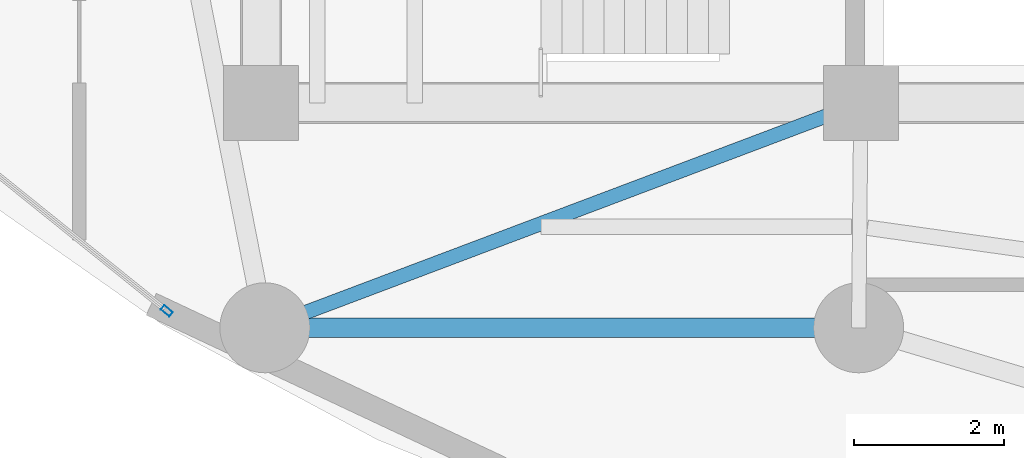
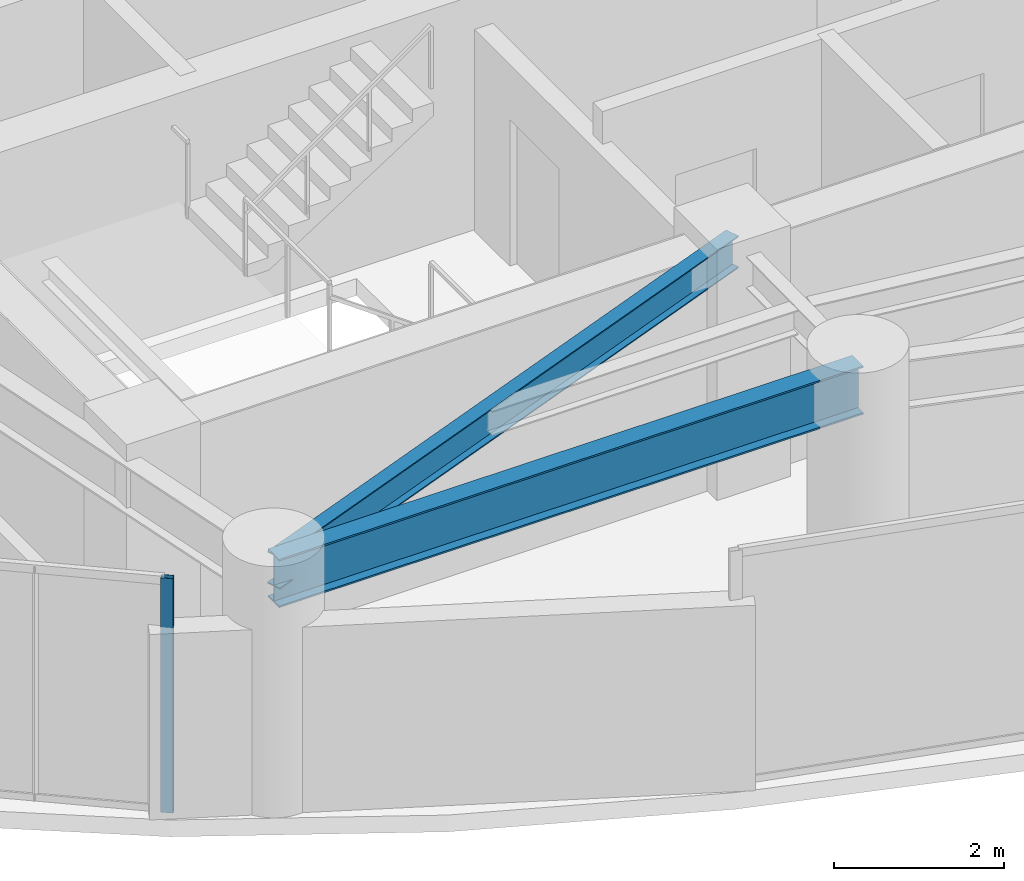
# One storey, part 2 of 34: 2 beams, 1 member, 1 element without a shape of its own.
"""IFC4 building model written with IfcOpenShell, lengths in metres."""

import ifcopenshell
import ifcopenshell.guid

model = None  # the IFC model being written
_history = None  # IfcOwnerHistory: only IFC2X3 demands one
_inside = {}  # id of a spatial element -> (the spatial element, [elements in it])
_under = {}  # id of a project, library or spatial element -> (it, [spatial elements below it])
_declared = {}  # id of a project -> (the project, [libraries it declares])
_typed = {}  # id of a type object -> (the type object, [elements of that type])
_made_of = {}  # id of a material, layer set ... -> (it, [elements and type objects made of it])


def new_model(schema):
    """Start an empty IFC model of exactly this schema.

    Asked for "IFC4X3", IfcOpenShell would pick the latest addendum, in which some entities
    have other attributes; the version numbers below select the first issue.
    IFC2X3 requires an IfcOwnerHistory on every rooted entity: one is made here for all.
    """
    global model, _history
    if schema == "IFC4X3":
        model = ifcopenshell.file(schema_version=(4, 3, 0, 0))
    else:
        model = ifcopenshell.file(schema=schema)
    _inside.clear()
    _under.clear()
    _declared.clear()
    _typed.clear()
    _made_of.clear()
    _history = None
    if model.schema == "IFC2X3":
        org = make("IfcOrganization", Name="unknown")
        user = make(
            "IfcPersonAndOrganization",
            ThePerson=make("IfcPerson", FamilyName="unknown"),
            TheOrganization=org,
        )
        app = make(
            "IfcApplication",
            ApplicationDeveloper=org,
            Version="unknown",
            ApplicationFullName="unknown",
            ApplicationIdentifier="unknown",
        )
        _history = make(
            "IfcOwnerHistory",
            OwningUser=user,
            OwningApplication=app,
            ChangeAction="ADDED",
            CreationDate=0,
        )
    return model


def make(cls, **values):
    """One entity of the class cls with the attributes given. An attribute that is None is left unset."""
    return model.create_entity(
        cls, **{name: value for name, value in values.items() if value is not None}
    )


def rooted(cls, **values):
    """An entity with a GlobalId (a new one), such as an element, a storey or a relation."""
    return make(cls, GlobalId=ifcopenshell.guid.new(), OwnerHistory=_history, **values)


def si_unit(unit_type, name, prefix=None):
    """IfcSIUnit, for example si_unit("LENGTHUNIT", "METRE", prefix="MILLI")."""
    return make("IfcSIUnit", UnitType=unit_type, Prefix=prefix, Name=name)


def assignment(units):
    """IfcUnitAssignment: the units of a project."""
    return None if units is None else make("IfcUnitAssignment", Units=units)


def point(xyz):
    """IfcCartesianPoint."""
    return None if xyz is None else make("IfcCartesianPoint", Coordinates=xyz)


def direction(xyz):
    """IfcDirection."""
    return None if xyz is None else make("IfcDirection", DirectionRatios=xyz)


def frame(location, z_axis=None, x_axis=None):
    """IfcAxis2Placement3D, a coordinate frame: its origin and axes. An axis left out is left unset."""
    return make(
        "IfcAxis2Placement3D",
        Location=point(location),
        Axis=direction(z_axis),
        RefDirection=direction(x_axis),
    )


def frame_2d(location, x_axis=None):
    """IfcAxis2Placement2D, a coordinate frame in the plane: its origin and x axis."""
    return make(
        "IfcAxis2Placement2D", Location=point(location), RefDirection=direction(x_axis)
    )


def origin():
    """The frame at (0, 0, 0) with its axes left unset."""
    return frame((0.0, 0.0, 0.0))


def origin_2d():
    """The frame at (0, 0) in the plane with its x axis left unset."""
    return frame_2d((0.0, 0.0))


def place(relative_to, where):
    """IfcLocalPlacement: puts the frame where relative to a parent placement (None: the world)."""
    return make(
        "IfcLocalPlacement", PlacementRelTo=relative_to, RelativePlacement=where
    )


def context(
    kind, dimensions, precision=None, world=None, true_north=None, identifier=None
):
    """IfcGeometricRepresentationContext, for example the 3D "Model" context."""
    return make(
        "IfcGeometricRepresentationContext",
        ContextIdentifier=identifier,
        ContextType=kind,
        CoordinateSpaceDimension=dimensions,
        Precision=precision,
        WorldCoordinateSystem=world,
        TrueNorth=true_north,
    )


def subcontext(parent, identifier, kind, view, scale=None):
    """IfcGeometricRepresentationSubContext, for example "Body" below "Model"."""
    return make(
        "IfcGeometricRepresentationSubContext",
        ContextIdentifier=identifier,
        ContextType=kind,
        ParentContext=parent,
        TargetScale=scale,
        TargetView=view,
    )


def project(units=None, contexts=None):
    """IfcProject with its units and contexts."""
    return rooted(
        "IfcProject",
        Name="project",
        RepresentationContexts=contexts,
        UnitsInContext=assignment(units),
    )


def spatial(cls, under=None, at=None, **own):
    """A site, building, storey or space (cls), placed at a placement, below another one or the project."""
    s = rooted(cls, ObjectPlacement=at, **own)
    if under is not None:
        _under.setdefault(under.id(), (under, []))[1].append(s)
    return s


def profile(cls, at=None, kind="AREA", **sizes):
    """A parametric profile (cls). Its sizes go by their IFC names, for example OverallWidth=200.0."""
    return make(cls, ProfileType=kind, Position=at, **sizes)


def hollow_rectangle(**sizes):
    """IfcRectangleHollowProfileDef."""
    return profile("IfcRectangleHollowProfileDef", **sizes)


def i_section(**sizes):
    """IfcIShapeProfileDef."""
    return profile("IfcIShapeProfileDef", **sizes)


def extrude(swept, where, along, depth):
    """IfcExtrudedAreaSolid: the profile swept, set in the frame where, extruded along a direction by depth."""
    return make(
        "IfcExtrudedAreaSolid",
        SweptArea=swept,
        Position=where,
        ExtrudedDirection=direction(along),
        Depth=depth,
    )


def shape(context_of_items, identifier, shape_type, items):
    """IfcShapeRepresentation: the items that make up one representation, for example the "Body"."""
    return make(
        "IfcShapeRepresentation",
        ContextOfItems=context_of_items,
        RepresentationIdentifier=identifier,
        RepresentationType=shape_type,
        Items=items,
    )


def material(Name=None, Category=None):
    """IfcMaterial."""
    return make("IfcMaterial", Name=Name, Category=Category)


def layer(
    of_material, thickness, ventilated=None, Name=None, Category=None, Priority=None
):
    """IfcMaterialLayer: one layer of a wall or slab, of a material (None: an air gap)."""
    return make(
        "IfcMaterialLayer",
        Material=of_material,
        LayerThickness=thickness,
        IsVentilated=ventilated,
        Name=Name,
        Category=Category,
        Priority=Priority,
    )


def layer_set(layers, Name=None):
    """IfcMaterialLayerSet."""
    return make("IfcMaterialLayerSet", MaterialLayers=layers, LayerSetName=Name)


def material_profile(
    of_material, cross_section, Name=None, Category=None, Priority=None
):
    """IfcMaterialProfile: a cross section and its material."""
    return make(
        "IfcMaterialProfile",
        Name=Name,
        Material=of_material,
        Profile=cross_section,
        Priority=Priority,
        Category=Category,
    )


def profile_set(profiles, Name=None, composite=None):
    """IfcMaterialProfileSet."""
    return make(
        "IfcMaterialProfileSet",
        Name=Name,
        MaterialProfiles=profiles,
        CompositeProfile=composite,
    )


def made_of(thing, what):
    """Note that an element or type object is made of a material, layer set ...; save() writes the relation."""
    if what is not None:
        _made_of.setdefault(what.id(), (what, []))[1].append(thing)
    return thing


def type_object(cls, material=None, **own):
    """A type object (cls), such as IfcWallType, which elements share."""
    return made_of(rooted(cls, **own), material)


def element(
    cls,
    number,
    at=None,
    inside=None,
    cuts=None,
    type_object=None,
    material=None,
    context=None,
    identifier="Body",
    shape_type=None,
    held_by="IfcProductDefinitionShape",
    body=None,
    shapes=None,
    **own,
):
    """One element of the class cls, such as IfcWall. Its Tag is "e" and its number.

    at: its placement. inside: the storey or other place that contains it. cuts: it is an
    opening in that element (IfcRelVoidsElement). A single representation is given by context,
    identifier, shape_type and body (its items); several are given by shapes. held_by: the class
    of the entity that holds the representations. save() writes the other relations.
    """
    e = rooted(cls, Tag="e%d" % number, ObjectPlacement=at, **own)
    if body is not None:
        shapes = [shape(context, identifier, shape_type, body)]
    if shapes is not None:
        e.Representation = make(held_by, Representations=shapes)
    if inside is not None:
        _inside.setdefault(inside.id(), (inside, []))[1].append(e)
    if cuts is not None:
        rooted(
            "IfcRelVoidsElement", RelatingBuildingElement=cuts, RelatedOpeningElement=e
        )
    if type_object is not None:
        _typed.setdefault(type_object.id(), (type_object, []))[1].append(e)
    return made_of(e, material)


def aggregate(whole, parts):
    """IfcRelAggregates: a whole, such as a stair, and the parts it consists of."""
    return rooted("IfcRelAggregates", RelatingObject=whole, RelatedObjects=parts)


def save(model, path):
    """Write the relations noted so far, then the file.

    IfcRelAggregates (storeys below a building ...), IfcRelContainedInSpatialStructure (elements
    in a storey), IfcRelDefinesByType, IfcRelAssociatesMaterial and IfcRelDeclares: one each for
    every whole, place, type object, material and project.
    """
    for whole, parts in _under.values():
        aggregate(whole, parts)
    for where, things in _inside.values():
        rooted(
            "IfcRelContainedInSpatialStructure",
            RelatedElements=things,
            RelatingStructure=where,
        )
    for kind, things in _typed.values():
        rooted("IfcRelDefinesByType", RelatedObjects=things, RelatingType=kind)
    for what, things in _made_of.values():
        rooted("IfcRelAssociatesMaterial", RelatedObjects=things, RelatingMaterial=what)
    for by, libraries in _declared.values():
        rooted("IfcRelDeclares", RelatingContext=by, RelatedDefinitions=libraries)
    model.write(path)


model = new_model("IFC4")

# Units and contexts
model_context = context("Model", 3, precision=1e-05, world=origin(), true_north=direction((0.0, 1.0)))
body_context = subcontext(model_context, "Body", "Model", "MODEL_VIEW")
ifc_project = project(units=[si_unit("LENGTHUNIT", "METRE"), si_unit("AREAUNIT", "SQUARE_METRE"), si_unit("VOLUMEUNIT", "CUBIC_METRE"), si_unit("PLANEANGLEUNIT", "RADIAN"), si_unit("MASSUNIT", "GRAM", prefix="KILO")], contexts=[model_context])

# Site, building, storey
site_placement = place(None, origin())
site = spatial("IfcSite", under=ifc_project, at=site_placement, CompositionType="ELEMENT")
building_placement = place(site_placement, origin())
building = spatial("IfcBuilding", under=site, at=building_placement, Name="Kazevale Care Tower and Concert Hall", CompositionType="ELEMENT")
storey_placement = place(building_placement, frame((0.0, 0.0, 163.800048828125)))
storey = spatial("IfcBuildingStorey", under=building, at=storey_placement, Name="L43", CompositionType="ELEMENT", Elevation=163.800048828125)

# Curtain wall, member
ifc_material_1 = material(Name="Aluminium 6063-T6 and Low-E Glass", Category="aluminium")
ifc_layer = layer(ifc_material_1, 0.179931640625)
ifc_layer_set = layer_set([ifc_layer], Name="Aluminium 6063-T6 and Low-E Glass")
curtain_wall_type = type_object("IfcCurtainWallType", Name="Sheltered Concave Balcony Curtain Wall CW-5", PredefinedType="NOTDEFINED", material=ifc_layer_set)
curtain_wall_placement = place(storey_placement, origin())
curtain_wall = element("IfcCurtainWall", 1, at=curtain_wall_placement, inside=storey, type_object=curtain_wall_type, Name="cw:L43:f10", PredefinedType="NOTDEFINED")
ifc_material_2 = material(Name="Aluminium 6063-T6", Category="aluminium")
ifc_material_profile_1 = material_profile(ifc_material_2, hollow_rectangle(XDim=0.074951171875, YDim=0.14990234375, WallThickness=0.00390625, at=origin_2d()), Name="ALU75x150x4")
ifc_profile_set_1 = profile_set([ifc_material_profile_1], Name="Aluminium 6063-T6")
member_type = type_object("IfcMemberType", Name="CW-5 Mullion ALU75x150x4", PredefinedType="MULLION", material=ifc_profile_set_1)
member_placement = place(storey_placement, frame((20.74072265625, 20.826416015625, 0.0), z_axis=(0.0, 0.0, 1.0), x_axis=(-0.626905357502, -0.779095419531, 0.0)))
member = element("IfcMember", 2, at=member_placement, type_object=member_type, Name="CW-5 mullion 1", PredefinedType="MULLION", context=body_context, shape_type="SweptSolid", body=[
    extrude(hollow_rectangle(XDim=0.074951171875, YDim=0.14990234375, WallThickness=0.00390625, at=origin_2d()), origin(), (0.0, 0.0, 1.0), 3.35986328125),
])
aggregate(curtain_wall, [member])

# Beams
ifc_material_3 = material(Name="Steel ASTM A572 Gr 50", Category="steel")
ifc_material_profile_2 = material_profile(ifc_material_3, i_section(OverallWidth=0.19091796875, OverallDepth=0.4599609375, WebThickness=0.010009765625, FlangeThickness=0.01611328125, at=origin_2d()), Name="W460x82")
ifc_profile_set_2 = profile_set([ifc_material_profile_2], Name="Steel ASTM A572 Gr 50")
beam_type_1 = type_object("IfcBeamType", Name="Radial Floor Beam W460x82", PredefinedType="BEAM", material=ifc_profile_set_2)
beam_1_placement = place(storey_placement, frame((30.0, 23.60009765625, 3.1298828125), z_axis=(-0.935601002663, -0.353059150592, 0.0), x_axis=(0.353059150592, -0.935601002663, 0.0)))
element("IfcBeam", 3, at=beam_1_placement, inside=storey, type_object=beam_type_1, Name="beam:L43:rad:10", PredefinedType="BEAM", context=body_context, shape_type="SweptSolid", body=[
    extrude(i_section(OverallWidth=0.19091796875, OverallDepth=0.4599609375, WebThickness=0.010009765625, FlangeThickness=0.01611328125, at=origin_2d()), origin(), (0.0, 0.0, 1.0), 8.4970703125),
])
ifc_material_profile_3 = material_profile(ifc_material_3, i_section(OverallWidth=0.256103515625, OverallDepth=0.693115234375, WebThickness=0.014404296875, FlangeThickness=0.023681640625, at=origin_2d()), Name="W690x170")
ifc_profile_set_3 = profile_set([ifc_material_profile_3], Name="Steel ASTM A572 Gr 50")
beam_type_2 = type_object("IfcBeamType", Name="Waist Ring Beam W690x170", PredefinedType="BEAM", material=ifc_profile_set_3)
beam_2_placement = place(storey_placement, frame((22.050048828125, 20.60009765625, 3.013427734375), z_axis=(1.0, 0.0, 0.0), x_axis=(0.0, 1.0, 0.0)))
element("IfcBeam", 4, at=beam_2_placement, inside=storey, type_object=beam_type_2, Name="beam:L43:ring:10", PredefinedType="BEAM", context=body_context, shape_type="SweptSolid", body=[
    extrude(i_section(OverallWidth=0.256103515625, OverallDepth=0.693115234375, WebThickness=0.014404296875, FlangeThickness=0.023681640625, at=origin_2d()), origin(), (0.0, 0.0, 1.0), 7.919921875),
])

save(model, "model.ifc")
